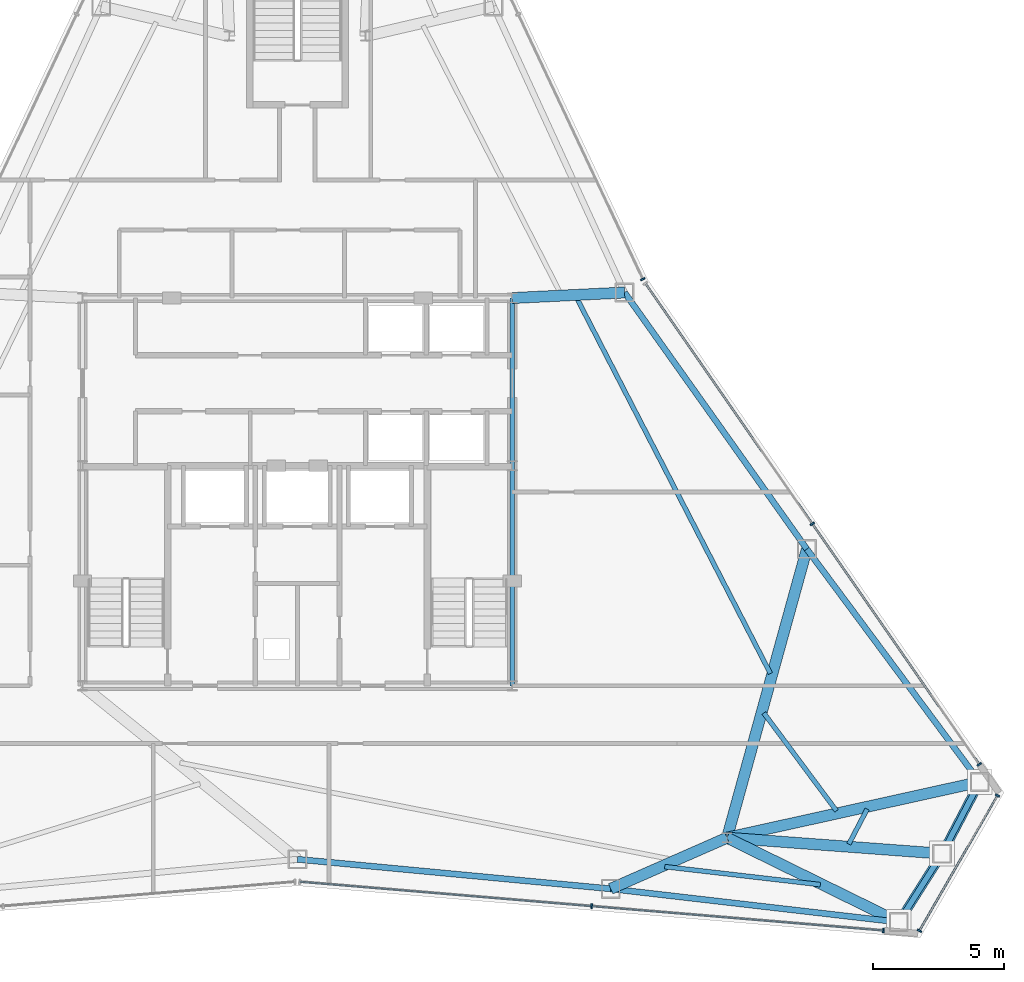
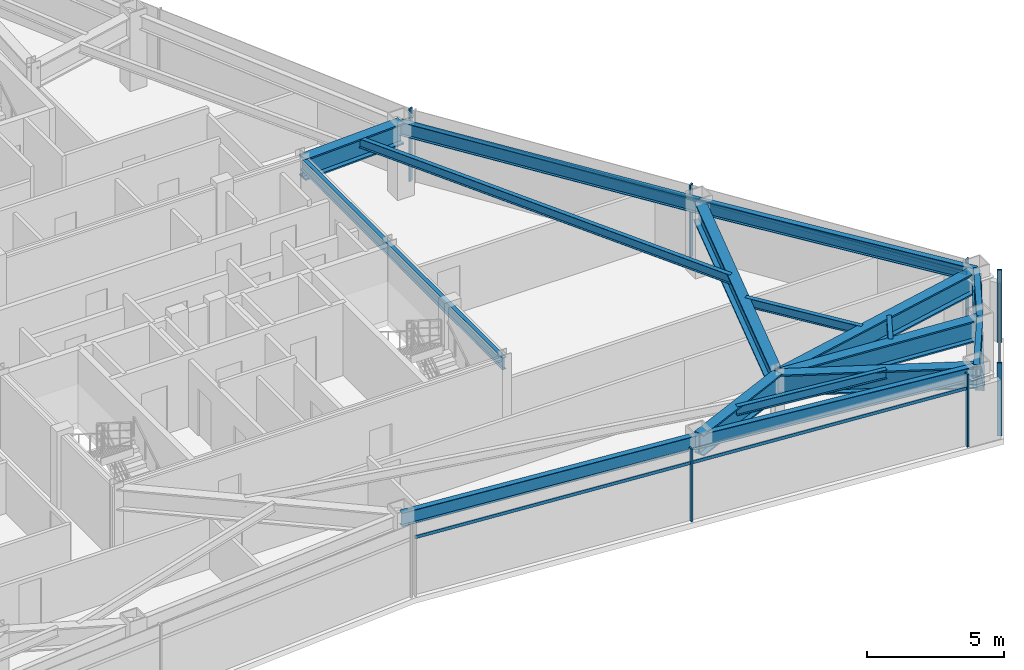
# One storey, part 6 of 12: 17 beams, 12 members, 4 elements without a shape of their own.
"""IFC4 building model written with IfcOpenShell, lengths in metres."""

from ifc_helpers import new_model, si_unit, direction, frame, origin, origin_2d, place, context, subcontext, project, spatial, rectangle, hollow_rectangle, i_section, extrude, source, transform, mapped, material, layer, layer_set, material_profile, profile_set, type_object, type_shapes, element, aggregate, save


model = new_model("IFC4")

# Units and contexts
model_context = context("Model", 3, precision=1e-05, world=origin(), true_north=direction((0.0, 1.0)))
body_context = subcontext(model_context, "Body", "Model", "MODEL_VIEW")
ifc_project = project(units=[si_unit("LENGTHUNIT", "METRE"), si_unit("AREAUNIT", "SQUARE_METRE"), si_unit("VOLUMEUNIT", "CUBIC_METRE"), si_unit("PLANEANGLEUNIT", "RADIAN"), si_unit("MASSUNIT", "GRAM", prefix="KILO")], contexts=[model_context])

# Site, building, storey
site_placement = place(None, origin())
site = spatial("IfcSite", under=ifc_project, at=site_placement, CompositionType="ELEMENT")
building_placement = place(site_placement, origin())
building = spatial("IfcBuilding", under=site, at=building_placement, Name="Varakhsha Concourse Tower", CompositionType="ELEMENT")
storey_placement = place(building_placement, frame((0.0, 0.0, 229.39990234375)))
storey = spatial("IfcBuildingStorey", under=building, at=storey_placement, Name="L65", CompositionType="ELEMENT", Elevation=229.39990234375)

# Beams
ifc_material_1 = material(Name="Structural Steel ASTM A992 Grade 50", Category="steel")
ifc_material_profile_1 = material_profile(ifc_material_1, i_section(OverallWidth=0.177978515625, OverallDepth=0.406982421875, WebThickness=0.008056640625, FlangeThickness=0.012939453125, at=origin_2d()), Name="W16X40")
ifc_profile_set_1 = profile_set([ifc_material_profile_1], Name="Structural Steel ASTM A992 Grade 50")
beam_type_1 = type_object("IfcBeamType", Name="BM-JST-W16X40", PredefinedType="JOIST", material=ifc_profile_set_1)
beam_1_placement = place(storey_placement, frame((54.0224609375, 9.495361328125, 3.046630859375), z_axis=(0.993377246527, -0.114898416364, 0.0), x_axis=(0.114898416364, 0.993377246527, 0.0)))
element("IfcBeam", 1, at=beam_1_placement, inside=storey, type_object=beam_type_1, Name="BM-TJST-L65-12", PredefinedType="JOIST", context=body_context, shape_type="SweptSolid", body=[
    extrude(i_section(OverallWidth=0.177978515625, OverallDepth=0.406982421875, WebThickness=0.008056640625, FlangeThickness=0.012939453125, at=origin_2d()), origin(), (0.0, 0.0, 1.0), 5.979248046875),
])
beam_2_placement = place(storey_placement, frame((61.048828125, 10.356689453125, 3.046630859375), z_axis=(0.464314737721, 0.885670268404, 0.0), x_axis=(-0.885670268404, 0.464314737721, 0.0)))
element("IfcBeam", 2, at=beam_2_placement, inside=storey, type_object=beam_type_1, Name="BM-TJST-L65-14", PredefinedType="JOIST", context=body_context, shape_type="SweptSolid", body=[
    extrude(i_section(OverallWidth=0.177978515625, OverallDepth=0.406982421875, WebThickness=0.008056640625, FlangeThickness=0.012939453125, at=origin_2d()), origin(), (0.0, 0.0, 1.0), 1.51171875),
])
beam_3_placement = place(storey_placement, frame((60.57861328125, 11.625732421875, 3.046630859375), z_axis=(-0.59617998396, 0.802850812247, 0.0), x_axis=(-0.802850812247, -0.59617998396, 0.0)))
element("IfcBeam", 3, at=beam_3_placement, inside=storey, type_object=beam_type_1, Name="BM-TJST-L65-15", PredefinedType="JOIST", context=body_context, shape_type="SweptSolid", body=[
    extrude(i_section(OverallWidth=0.177978515625, OverallDepth=0.406982421875, WebThickness=0.008056640625, FlangeThickness=0.012939453125, at=origin_2d()), origin(), (0.0, 0.0, 1.0), 4.65087890625),
])
beam_4_placement = place(storey_placement, frame((58.0556640625, 16.867919921875, 3.046630859375), z_axis=(-0.458401838007, 0.888745044943, 0.0), x_axis=(-0.888745044943, -0.458401838007, 0.0)))
element("IfcBeam", 4, at=beam_4_placement, inside=storey, type_object=beam_type_1, Name="BM-TJST-L65-16", PredefinedType="JOIST", context=body_context, shape_type="SweptSolid", body=[
    extrude(i_section(OverallWidth=0.177978515625, OverallDepth=0.406982421875, WebThickness=0.008056640625, FlangeThickness=0.012939453125, at=origin_2d()), origin(), (0.0, 0.0, 1.0), 16.149169921875),
])
ifc_material_profile_2 = material_profile(ifc_material_1, i_section(OverallWidth=0.423095703125, OverallDepth=0.947998046875, WebThickness=0.0380859375, FlangeThickness=0.06396484375, at=origin_2d()), Name="W36X302")
ifc_profile_set_2 = profile_set([ifc_material_profile_2], Name="Structural Steel ASTM A992 Grade 50")
beam_type_2 = type_object("IfcBeamType", Name="BM-OUTR-W36X302", PredefinedType="USERDEFINED", material=ifc_profile_set_2)
beam_5_placement = place(storey_placement, frame((56.39990234375, 10.60009765625, 2.776123046875), z_axis=(-0.915587981704, -0.402117703862, 0.0), x_axis=(0.402117703862, -0.915587981704, 0.0)))
element("IfcBeam", 5, at=beam_5_placement, inside=storey, type_object=beam_type_2, Name="L65 Radial Floor Girder 12", ObjectType="GIRDER", PredefinedType="USERDEFINED", context=body_context, shape_type="SweptSolid", body=[
    extrude(i_section(OverallWidth=0.423095703125, OverallDepth=0.947998046875, WebThickness=0.0380859375, FlangeThickness=0.06396484375, at=origin_2d()), origin(), (0.0, 0.0, 1.0), 4.849853515625),
])
beam_6_placement = place(storey_placement, frame((56.39990234375, 10.60009765625, 2.776123046875), z_axis=(0.897480760127, -0.441053608081, 0.0), x_axis=(0.441053608081, 0.897480760127, 0.0)))
element("IfcBeam", 6, at=beam_6_placement, inside=storey, type_object=beam_type_2, Name="L65 Radial Floor Girder 13", ObjectType="GIRDER", PredefinedType="USERDEFINED", context=body_context, shape_type="SweptSolid", body=[
    extrude(i_section(OverallWidth=0.423095703125, OverallDepth=0.947998046875, WebThickness=0.0380859375, FlangeThickness=0.06396484375, at=origin_2d()), origin(), (0.0, 0.0, 1.0), 7.30517578125),
])
beam_7_placement = place(storey_placement, frame((56.39990234375, 10.60009765625, 2.776123046875), z_axis=(0.997261277547, -0.073959071819, 0.0), x_axis=(0.073959071819, 0.997261277547, 0.0)))
element("IfcBeam", 7, at=beam_7_placement, inside=storey, type_object=beam_type_2, Name="L65 Radial Floor Girder 14", ObjectType="GIRDER", PredefinedType="USERDEFINED", context=body_context, shape_type="SweptSolid", body=[
    extrude(i_section(OverallWidth=0.423095703125, OverallDepth=0.947998046875, WebThickness=0.0380859375, FlangeThickness=0.06396484375, at=origin_2d()), origin(), (0.0, 0.0, 1.0), 8.232666015625),
])
beam_8_placement = place(storey_placement, frame((56.39990234375, 10.60009765625, 2.776123046875), z_axis=(0.976469998414, 0.215653291644, 0.0), x_axis=(-0.215653291644, 0.976469998414, 0.0)))
element("IfcBeam", 8, at=beam_8_placement, inside=storey, type_object=beam_type_2, Name="L65 Radial Floor Girder 15", ObjectType="GIRDER", PredefinedType="USERDEFINED", context=body_context, shape_type="SweptSolid", body=[
    extrude(i_section(OverallWidth=0.423095703125, OverallDepth=0.947998046875, WebThickness=0.0380859375, FlangeThickness=0.06396484375, at=origin_2d()), origin(), (0.0, 0.0, 1.0), 9.878662109375),
])
beam_9_placement = place(storey_placement, frame((56.39990234375, 10.60009765625, 2.776123046875), z_axis=(0.266516826979, 0.963830265626, 0.0), x_axis=(-0.963830265626, 0.266516826979, 0.0)))
element("IfcBeam", 9, at=beam_9_placement, inside=storey, type_object=beam_type_2, Name="L65 Radial Floor Girder 16", ObjectType="GIRDER", PredefinedType="USERDEFINED", context=body_context, shape_type="SweptSolid", body=[
    extrude(i_section(OverallWidth=0.423095703125, OverallDepth=0.947998046875, WebThickness=0.0380859375, FlangeThickness=0.06396484375, at=origin_2d()), origin(), (0.0, 0.0, 1.0), 11.431396484375),
])
beam_10_placement = place(storey_placement, frame((48.199951171875, 31.199951171875, 2.776123046875), z_axis=(0.998790595953, 0.049166507256, 0.0), x_axis=(-0.049166507256, 0.998790595953, 0.0)))
element("IfcBeam", 10, at=beam_10_placement, inside=storey, type_object=beam_type_2, Name="L65 Radial Floor Girder 17", ObjectType="GIRDER", PredefinedType="USERDEFINED", context=body_context, shape_type="SweptSolid", body=[
    extrude(i_section(OverallWidth=0.423095703125, OverallDepth=0.947998046875, WebThickness=0.0380859375, FlangeThickness=0.06396484375, at=origin_2d()), origin(), (0.0, 0.0, 1.0), 4.295166015625),
])
ifc_material_profile_3 = material_profile(ifc_material_1, i_section(OverallWidth=0.1669921875, OverallDepth=0.534912109375, WebThickness=0.010009765625, FlangeThickness=0.01708984375, at=origin_2d()), Name="W21X57")
ifc_profile_set_3 = profile_set([ifc_material_profile_3], Name="Structural Steel ASTM A992 Grade 50")
beam_type_3 = type_object("IfcBeamType", Name="BM-RAD-W21X57", PredefinedType="BEAM", material=ifc_profile_set_3)
beam_11_placement = place(storey_placement, frame((48.199951171875, 16.39990234375, 2.982666015625), z_axis=(0.0, 1.0, 0.0), x_axis=(-1.0, 0.0, 0.0)))
element("IfcBeam", 11, at=beam_11_placement, inside=storey, type_object=beam_type_3, Name="BM-TCORE-L65-CE", PredefinedType="BEAM", context=body_context, shape_type="SweptSolid", body=[
    extrude(i_section(OverallWidth=0.1669921875, OverallDepth=0.534912109375, WebThickness=0.010009765625, FlangeThickness=0.01708984375, at=origin_2d()), origin(), (0.0, 0.0, 1.0), 14.800048828125),
])
ifc_material_profile_4 = material_profile(ifc_material_1, i_section(OverallWidth=0.22900390625, OverallDepth=0.612060546875, WebThickness=0.011962890625, FlangeThickness=0.02001953125, at=origin_2d()), Name="W24X84")
ifc_profile_set_4 = profile_set([ifc_material_profile_4], Name="Structural Steel ASTM A992 Grade 50")
beam_type_4 = type_object("IfcBeamType", Name="BM-SPAN-W24X84", PredefinedType="SPANDREL", material=ifc_profile_set_4)
beam_12_placement = place(storey_placement, frame((40.0, 9.77783203125, 2.944091796875), z_axis=(0.995582012356, -0.09389598859, 0.0), x_axis=(0.09389598859, 0.995582012356, 0.0)))
element("IfcBeam", 12, at=beam_12_placement, inside=storey, type_object=beam_type_4, Name="BM-SPAN-L65-11", PredefinedType="SPANDREL", context=body_context, shape_type="SweptSolid", body=[
    extrude(i_section(OverallWidth=0.22900390625, OverallDepth=0.612060546875, WebThickness=0.011962890625, FlangeThickness=0.02001953125, at=origin_2d()), origin(), (0.0, 0.0, 1.0), 12.012451171875),
])
beam_13_placement = place(storey_placement, frame((51.95947265625, 8.64990234375, 2.944091796875), z_axis=(0.993379152974, -0.114881932593, 0.0), x_axis=(0.114881932593, 0.993379152974, 0.0)))
element("IfcBeam", 13, at=beam_13_placement, inside=storey, type_object=beam_type_4, Name="BM-SPAN-L65-12", PredefinedType="SPANDREL", context=body_context, shape_type="SweptSolid", body=[
    extrude(i_section(OverallWidth=0.22900390625, OverallDepth=0.612060546875, WebThickness=0.011962890625, FlangeThickness=0.02001953125, at=origin_2d()), origin(), (0.0, 0.0, 1.0), 11.06982421875),
])
beam_14_placement = place(storey_placement, frame((62.9560546875, 7.378173828125, 2.944091796875), z_axis=(0.534851104232, 0.844946327468, 0.0), x_axis=(-0.844946327468, 0.534851104232, 0.0)))
element("IfcBeam", 14, at=beam_14_placement, inside=storey, type_object=beam_type_4, Name="BM-SPAN-L65-13", PredefinedType="SPANDREL", context=body_context, shape_type="SweptSolid", body=[
    extrude(i_section(OverallWidth=0.22900390625, OverallDepth=0.612060546875, WebThickness=0.011962890625, FlangeThickness=0.02001953125, at=origin_2d()), origin(), (0.0, 0.0, 1.0), 3.092529296875),
])
beam_15_placement = place(storey_placement, frame((64.610107421875, 9.9912109375, 2.944091796875), z_axis=(0.46430782769, 0.88567389097, 0.0), x_axis=(-0.88567389097, 0.46430782769, 0.0)))
element("IfcBeam", 15, at=beam_15_placement, inside=storey, type_object=beam_type_4, Name="BM-SPAN-L65-14", PredefinedType="SPANDREL", context=body_context, shape_type="SweptSolid", body=[
    extrude(i_section(OverallWidth=0.22900390625, OverallDepth=0.612060546875, WebThickness=0.011962890625, FlangeThickness=0.02001953125, at=origin_2d()), origin(), (0.0, 0.0, 1.0), 3.0927734375),
])
beam_16_placement = place(storey_placement, frame((66.046142578125, 12.73046875, 2.944091796875), z_axis=(-0.596178624109, 0.802851822042, 0.0), x_axis=(-0.802851822042, -0.596178624109, 0.0)))
element("IfcBeam", 16, at=beam_16_placement, inside=storey, type_object=beam_type_4, Name="BM-SPAN-L65-15", PredefinedType="SPANDREL", context=body_context, shape_type="SweptSolid", body=[
    extrude(i_section(OverallWidth=0.22900390625, OverallDepth=0.612060546875, WebThickness=0.011962890625, FlangeThickness=0.02001953125, at=origin_2d()), origin(), (0.0, 0.0, 1.0), 11.06982421875),
])
beam_17_placement = place(storey_placement, frame((59.446533203125, 21.617919921875, 2.944091796875), z_axis=(-0.579107968435, 0.815250857648, 0.0), x_axis=(-0.815250857648, -0.579107968435, 0.0)))
element("IfcBeam", 17, at=beam_17_placement, inside=storey, type_object=beam_type_4, Name="BM-SPAN-L65-16", PredefinedType="SPANDREL", context=body_context, shape_type="SweptSolid", body=[
    extrude(i_section(OverallWidth=0.22900390625, OverallDepth=0.612060546875, WebThickness=0.011962890625, FlangeThickness=0.02001953125, at=origin_2d()), origin(), (0.0, 0.0, 1.0), 12.012451171875),
])

# Members
ifc_material_2 = material(Name="Structural Steel ASTM A500 Grade C", Category="steel")
ifc_material_profile_5 = material_profile(ifc_material_2, hollow_rectangle(XDim=0.35009765625, YDim=0.35009765625, WallThickness=0.01611328125, at=origin_2d()), Name="HSS 350x350x16")
ifc_profile_set_5 = profile_set([ifc_material_profile_5], Name="Structural Steel ASTM A500 Grade C")
member_type_1 = type_object("IfcMemberType", Name="MB-TUBE-HSS350", PredefinedType="BRACE", material=ifc_profile_set_5)
shared_shape_1 = source(origin(), body_context, "Body", "SweptSolid", [
    extrude(hollow_rectangle(XDim=0.35009765625, YDim=0.35009765625, WallThickness=0.01611328125, at=origin_2d()), origin(), (0.0, 0.0, 1.0), 4.192138671875),
])
member_1_placement = place(storey_placement, frame((64.610107421875, 9.9912109375, 0.1201171875), z_axis=(-0.394569925979, -0.623333124392, 0.675107687372), x_axis=(0.844946327468, -0.534851104232, 0.0)))
element("IfcMember", 18, at=member_1_placement, inside=storey, type_object=member_type_1, Name="L65 Wind-Corner Tube Brace B05", PredefinedType="BRACE", context=body_context, shape_type="MappedRepresentation", body=[
    mapped(shared_shape_1, transform((0.0, 0.0, 0.0), scale=1.0)),
])
shared_shape_2 = source(origin(), body_context, "Body", "SweptSolid", [
    extrude(hollow_rectangle(XDim=0.35009765625, YDim=0.35009765625, WallThickness=0.01611328125, at=origin_2d()), origin(), (0.0, 0.0, 1.0), 4.1923828125),
])
type_shapes(member_type_1, [shared_shape_1, shared_shape_2])
member_2_placement = place(storey_placement, frame((64.610107421875, 9.9912109375, 0.1201171875), z_axis=(0.342544113921, 0.653407847364, 0.675071636955), x_axis=(-0.88567389097, 0.46430782769, 0.0)))
element("IfcMember", 19, at=member_2_placement, inside=storey, type_object=member_type_1, Name="L65 Wind-Corner Tube Brace B06", PredefinedType="BRACE", context=body_context, shape_type="MappedRepresentation", body=[
    mapped(shared_shape_2, transform((0.0, 0.0, 0.0), scale=1.0)),
])

# Curtain wall, members
ifc_material_3 = material(Name="Anodised Bronze Architectural Aluminium AA 6063-T6", Category="aluminium")
ifc_layer = layer(ifc_material_3, 0.199951171875, Name="CW-SYS-05")
ifc_layer_set = layer_set([ifc_layer], Name="Anodised Bronze Architectural Aluminium AA 6063-T6")
curtain_wall_type = type_object("IfcCurtainWallType", Name="CW-SYS-05", PredefinedType="NOTDEFINED", material=ifc_layer_set)
curtain_wall_1_placement = place(storey_placement, origin())
curtain_wall_1 = element("IfcCurtainWall", 20, at=curtain_wall_1_placement, inside=storey, type_object=curtain_wall_type, Name="L65 Crystal Curtain Wall F6", PredefinedType="NOTDEFINED")
ifc_material_profile_6 = material_profile(ifc_material_3, rectangle(XDim=0.06494140625, YDim=0.179931640625, at=origin_2d()), Name="CWM-180X65")
ifc_profile_set_6 = profile_set([ifc_material_profile_6], Name="Anodised Bronze Architectural Aluminium AA 6063-T6")
member_type_2 = type_object("IfcMemberType", Name="CWM-180X65", PredefinedType="MULLION", material=ifc_profile_set_6)
shared_shape_3 = source(origin(), body_context, "Body", "SweptSolid", [
    extrude(rectangle(XDim=0.06494140625, YDim=0.179931640625, at=origin_2d()), origin(), (0.0, 0.0, 1.0), 3.25),
])
type_shapes(member_type_2, [shared_shape_3])
member_3_placement = place(storey_placement, frame((62.37060546875, 7.0576171875, 0.0), z_axis=(0.0, 0.0, 1.0), x_axis=(-0.996528985157, 0.083246511889, 0.0)))
member_3 = element("IfcMember", 21, at=member_3_placement, type_object=member_type_2, Name="CW-L65-F6 Mullion 00", PredefinedType="MULLION", context=body_context, shape_type="MappedRepresentation", body=[
    mapped(shared_shape_3, transform((0.0, 0.0, 0.0), scale=1.0)),
])
member_4_placement = place(storey_placement, frame((51.231689453125, 7.98828125, 0.0), z_axis=(0.0, 0.0, 1.0), x_axis=(-0.996528985157, 0.083246511889, 0.0)))
member_4 = element("IfcMember", 22, at=member_4_placement, type_object=member_type_2, Name="CW-L65-F6 Mullion 01", PredefinedType="MULLION", context=body_context, shape_type="MappedRepresentation", body=[
    mapped(shared_shape_3, transform((0.0, 0.0, 0.0), scale=1.0)),
])

curtain_wall_2_placement = place(storey_placement, origin())
curtain_wall_2 = element("IfcCurtainWall", 23, at=curtain_wall_2_placement, inside=storey, type_object=curtain_wall_type, Name="L65 Chamfer Curtain Wall F7", PredefinedType="NOTDEFINED")
member_5_placement = place(storey_placement, frame((66.7236328125, 12.212158203125, 0.0), z_axis=(0.0, 0.0, 1.0), x_axis=(-0.49999395399, -0.866028894422, 0.0)))
member_5 = element("IfcMember", 24, at=member_5_placement, type_object=member_type_2, Name="CW-L65-F7 Mullion 00", PredefinedType="MULLION", context=body_context, shape_type="MappedRepresentation", body=[
    mapped(shared_shape_3, transform((0.0, 0.0, 0.0), scale=1.0)),
])
member_6_placement = place(storey_placement, frame((63.74365234375, 7.050537109375, 0.0), z_axis=(0.0, 0.0, 1.0), x_axis=(-0.49999395399, -0.866028894422, 0.0)))
member_6 = element("IfcMember", 25, at=member_6_placement, type_object=member_type_2, Name="CW-L65-F7 Mullion 01", PredefinedType="MULLION", context=body_context, shape_type="MappedRepresentation", body=[
    mapped(shared_shape_3, transform((0.0, 0.0, 0.0), scale=1.0)),
])

curtain_wall_3_placement = place(storey_placement, origin())
curtain_wall_3 = element("IfcCurtainWall", 26, at=curtain_wall_3_placement, inside=storey, type_object=curtain_wall_type, Name="L65 Crystal Curtain Wall F8", PredefinedType="NOTDEFINED")
member_7_placement = place(storey_placement, frame((59.65576171875, 22.578857421875, 0.0), z_axis=(0.0, 0.0, 1.0), x_axis=(0.570360953861, -0.821394169879, 0.0)))
member_7 = element("IfcMember", 27, at=member_7_placement, type_object=member_type_2, Name="CW-L65-F8 Mullion 01", PredefinedType="MULLION", context=body_context, shape_type="MappedRepresentation", body=[
    mapped(shared_shape_3, transform((0.0, 0.0, 0.0), scale=1.0)),
])
member_8_placement = place(storey_placement, frame((66.031005859375, 13.397705078125, 0.0), z_axis=(0.0, 0.0, 1.0), x_axis=(0.570360953861, -0.821394169879, 0.0)))
member_8 = element("IfcMember", 28, at=member_8_placement, type_object=member_type_2, Name="CW-L65-F8 Mullion 02", PredefinedType="MULLION", context=body_context, shape_type="MappedRepresentation", body=[
    mapped(shared_shape_3, transform((0.0, 0.0, 0.0), scale=1.0)),
])

# Curtain wall, member
curtain_wall_4_placement = place(storey_placement, origin())
curtain_wall_4 = element("IfcCurtainWall", 29, at=curtain_wall_4_placement, inside=storey, type_object=curtain_wall_type, Name="L65 Crystal Curtain Wall F9", PredefinedType="NOTDEFINED")
member_9_placement = place(storey_placement, frame((53.1875, 31.92138671875, 0.0), z_axis=(0.0, 0.0, 1.0), x_axis=(0.426172477405, -0.904641928888, 0.0)))
member_9 = element("IfcMember", 30, at=member_9_placement, type_object=member_type_2, Name="CW-L65-F9 Mullion 02", PredefinedType="MULLION", context=body_context, shape_type="MappedRepresentation", body=[
    mapped(shared_shape_3, transform((0.0, 0.0, 0.0), scale=1.0)),
])
aggregate(curtain_wall_4, [member_9])

# Member
ifc_material_profile_7 = material_profile(ifc_material_3, rectangle(XDim=0.06005859375, YDim=0.139892578125, at=origin_2d()), Name="CWT-140X60")
ifc_profile_set_7 = profile_set([ifc_material_profile_7], Name="Anodised Bronze Architectural Aluminium AA 6063-T6")
member_type_3 = type_object("IfcMemberType", Name="CWT-140X60", PredefinedType="USERDEFINED", material=ifc_profile_set_7)
shared_shape_4 = source(origin(), body_context, "Body", "SweptSolid", [
    extrude(rectangle(XDim=0.06005859375, YDim=0.139892578125, at=origin_2d()), origin(), (0.0, 0.0, 1.0), 22.35498046875),
])
member_10_placement = place(storey_placement, frame((53.280517578125, 31.760009765625, 2.60009765625), z_axis=(0.570362244302, -0.821393273819, 0.0), x_axis=(0.821393273819, 0.570362244302, 0.0)))
member_10 = element("IfcMember", 31, at=member_10_placement, type_object=member_type_3, Name="CW-L65-F8 Transom 01", ObjectType="TRANSOM", PredefinedType="USERDEFINED", context=body_context, shape_type="MappedRepresentation", body=[
    mapped(shared_shape_4, transform((0.0, 0.0, 0.0), scale=1.0)),
])

aggregate(curtain_wall_3, [member_7, member_8, member_10])

shared_shape_5 = source(origin(), body_context, "Body", "SweptSolid", [
    extrude(rectangle(XDim=0.06005859375, YDim=0.139892578125, at=origin_2d()), origin(), (0.0, 0.0, 1.0), 22.355224609375),
])
member_11_placement = place(storey_placement, frame((62.37060546875, 7.0576171875, 2.60009765625), z_axis=(-0.996528640141, 0.083250641912, 0.0), x_axis=(-0.083250641912, -0.996528640141, 0.0)))
member_11 = element("IfcMember", 32, at=member_11_placement, type_object=member_type_3, Name="CW-L65-F6 Transom 01", ObjectType="TRANSOM", PredefinedType="USERDEFINED", context=body_context, shape_type="MappedRepresentation", body=[
    mapped(shared_shape_5, transform((0.0, 0.0, 0.0), scale=1.0)),
])

aggregate(curtain_wall_1, [member_3, member_4, member_11])

shared_shape_6 = source(origin(), body_context, "Body", "SweptSolid", [
    extrude(rectangle(XDim=0.06005859375, YDim=0.139892578125, at=origin_2d()), origin(), (0.0, 0.0, 1.0), 5.960205078125),
])
type_shapes(member_type_3, [shared_shape_4, shared_shape_5, shared_shape_6])
member_12_placement = place(storey_placement, frame((66.7236328125, 12.212158203125, 2.60009765625), z_axis=(-0.499989573202, -0.866031423615, 0.0), x_axis=(0.866031423615, -0.499989573202, 0.0)))
member_12 = element("IfcMember", 33, at=member_12_placement, type_object=member_type_3, Name="CW-L65-F7 Transom 01", ObjectType="TRANSOM", PredefinedType="USERDEFINED", context=body_context, shape_type="MappedRepresentation", body=[
    mapped(shared_shape_6, transform((0.0, 0.0, 0.0), scale=1.0)),
])

aggregate(curtain_wall_2, [member_5, member_6, member_12])

save(model, "model.ifc")
